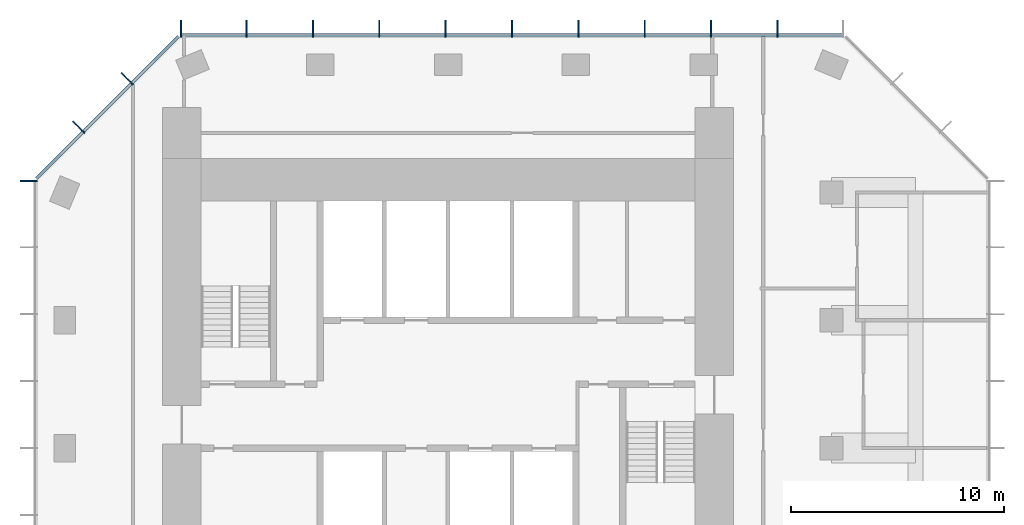
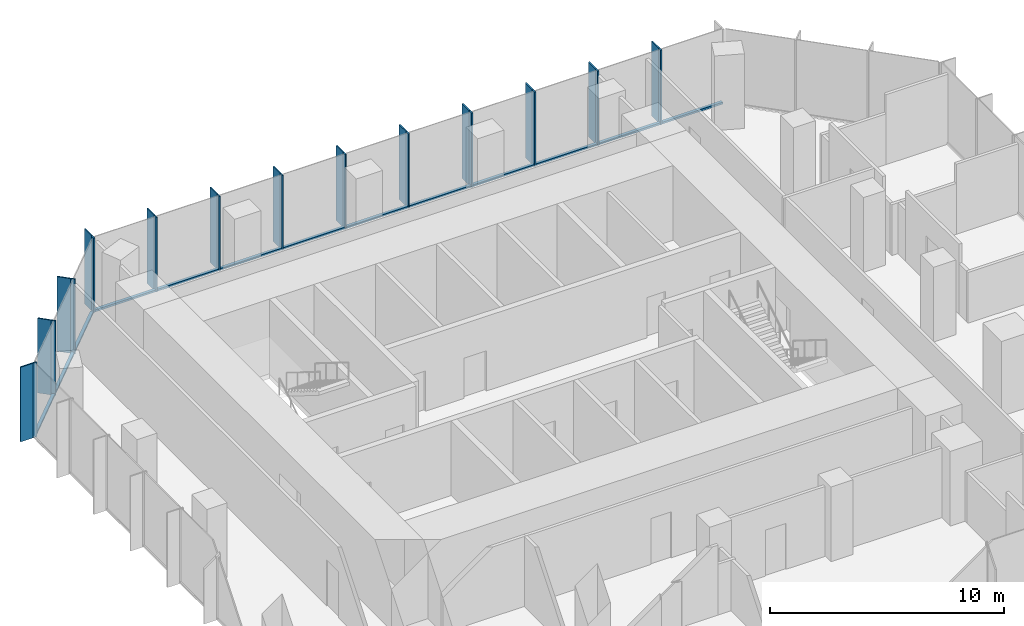
# One storey, part 5 of 11: 39 members, 3 elements without a shape of their own.
"""IFC4 building model written with IfcOpenShell, lengths in metres."""

from ifc_helpers import new_model, si_unit, direction, frame, origin, origin_2d, place, context, subcontext, project, spatial, rectangle, extrude, material, layer, layer_set, material_profile, profile_set, type_object, element, aggregate, save


model = new_model("IFC4")

# Units and contexts
model_context = context("Model", 3, precision=1e-05, world=origin(), true_north=direction((0.0, 1.0)))
body_context = subcontext(model_context, "Body", "Model", "MODEL_VIEW")
ifc_project = project(units=[si_unit("LENGTHUNIT", "METRE"), si_unit("AREAUNIT", "SQUARE_METRE"), si_unit("VOLUMEUNIT", "CUBIC_METRE"), si_unit("PLANEANGLEUNIT", "RADIAN"), si_unit("MASSUNIT", "GRAM", prefix="KILO")], contexts=[model_context])

# Site, building, storey
site_placement = place(None, origin())
site = spatial("IfcSite", under=ifc_project, at=site_placement, CompositionType="ELEMENT")
building_placement = place(site_placement, origin())
building = spatial("IfcBuilding", under=site, at=building_placement, Name="Highveld Stack Headquarters", CompositionType="ELEMENT")
storey_placement = place(building_placement, frame((0.0, 0.0, 287.89990234375)))
storey = spatial("IfcBuildingStorey", under=building, at=storey_placement, Name="L71", CompositionType="ELEMENT", Elevation=287.89990234375)

# Curtain wall, members
ifc_material_1 = material(Name="Aluminium bronze anodised", Category="aluminium")
ifc_layer = layer(ifc_material_1, 0.199951171875)
ifc_layer_set = layer_set([ifc_layer], Name="Aluminium bronze anodised")
curtain_wall_type = type_object("IfcCurtainWallType", Name="CW5 EXECUTIVE UNITISED CURTAIN WALL", PredefinedType="NOTDEFINED", material=ifc_layer_set)
curtain_wall_1_placement = place(storey_placement, origin())
curtain_wall_1 = element("IfcCurtainWall", 1, at=curtain_wall_1_placement, inside=storey, type_object=curtain_wall_type, Name="Curtain wall CW5 L71 N", PredefinedType="NOTDEFINED")
ifc_material_2 = material(Name="Aluminium bronze anodised", Category="aluminium")
ifc_material_profile_1 = material_profile(ifc_material_2, rectangle(XDim=0.60009765625, YDim=0.06005859375, at=origin_2d()), Name="FIN 600x60")
ifc_profile_set_1 = profile_set([ifc_material_profile_1], Name="Aluminium bronze anodised")
member_type_1 = type_object("IfcMemberType", Name="CW5 BRONZE FIN 600x60", PredefinedType="USERDEFINED", material=ifc_profile_set_1)
member_1_placement = place(storey_placement, frame((21.4638671875, 19.800048828125, 0.0), z_axis=(0.0, 0.0, 1.0), x_axis=(0.0, -1.0, 0.0)))
member_1 = element("IfcMember", 2, at=member_1_placement, type_object=member_type_1, Name="CW5 fin L71 2", ObjectType="FIN", PredefinedType="USERDEFINED", context=body_context, shape_type="SweptSolid", body=[
    extrude(rectangle(XDim=0.60009765625, YDim=0.06005859375, at=origin_2d()), origin(), (0.0, 0.0, 1.0), 3.900146484375),
])
member_2_placement = place(storey_placement, frame((18.347900390625, 19.800048828125, 0.0), z_axis=(0.0, 0.0, 1.0), x_axis=(0.0, -1.0, 0.0)))
member_2 = element("IfcMember", 3, at=member_2_placement, type_object=member_type_1, Name="CW5 fin L71 3", ObjectType="FIN", PredefinedType="USERDEFINED", context=body_context, shape_type="SweptSolid", body=[
    extrude(rectangle(XDim=0.60009765625, YDim=0.06005859375, at=origin_2d()), origin(), (0.0, 0.0, 1.0), 3.900146484375),
])
member_3_placement = place(storey_placement, frame((15.23193359375, 19.800048828125, 0.0), z_axis=(0.0, 0.0, 1.0), x_axis=(0.0, -1.0, 0.0)))
member_3 = element("IfcMember", 4, at=member_3_placement, type_object=member_type_1, Name="CW5 fin L71 4", ObjectType="FIN", PredefinedType="USERDEFINED", context=body_context, shape_type="SweptSolid", body=[
    extrude(rectangle(XDim=0.60009765625, YDim=0.06005859375, at=origin_2d()), origin(), (0.0, 0.0, 1.0), 3.900146484375),
])
member_4_placement = place(storey_placement, frame((12.115966796875, 19.800048828125, 0.0), z_axis=(0.0, 0.0, 1.0), x_axis=(0.0, -1.0, 0.0)))
member_4 = element("IfcMember", 5, at=member_4_placement, type_object=member_type_1, Name="CW5 fin L71 5", ObjectType="FIN", PredefinedType="USERDEFINED", context=body_context, shape_type="SweptSolid", body=[
    extrude(rectangle(XDim=0.60009765625, YDim=0.06005859375, at=origin_2d()), origin(), (0.0, 0.0, 1.0), 3.900146484375),
])
member_5_placement = place(storey_placement, frame((9.0, 19.800048828125, 0.0), z_axis=(0.0, 0.0, 1.0), x_axis=(0.0, -1.0, 0.0)))
member_5 = element("IfcMember", 6, at=member_5_placement, type_object=member_type_1, Name="CW5 fin L71 6", ObjectType="FIN", PredefinedType="USERDEFINED", context=body_context, shape_type="SweptSolid", body=[
    extrude(rectangle(XDim=0.60009765625, YDim=0.06005859375, at=origin_2d()), origin(), (0.0, 0.0, 1.0), 3.900146484375),
])
member_6_placement = place(storey_placement, frame((5.884033203125, 19.800048828125, 0.0), z_axis=(0.0, 0.0, 1.0), x_axis=(0.0, -1.0, 0.0)))
member_6 = element("IfcMember", 7, at=member_6_placement, type_object=member_type_1, Name="CW5 fin L71 7", ObjectType="FIN", PredefinedType="USERDEFINED", context=body_context, shape_type="SweptSolid", body=[
    extrude(rectangle(XDim=0.60009765625, YDim=0.06005859375, at=origin_2d()), origin(), (0.0, 0.0, 1.0), 3.900146484375),
])
member_7_placement = place(storey_placement, frame((2.76806640625, 19.800048828125, 0.0), z_axis=(0.0, 0.0, 1.0), x_axis=(0.0, -1.0, 0.0)))
member_7 = element("IfcMember", 8, at=member_7_placement, type_object=member_type_1, Name="CW5 fin L71 8", ObjectType="FIN", PredefinedType="USERDEFINED", context=body_context, shape_type="SweptSolid", body=[
    extrude(rectangle(XDim=0.60009765625, YDim=0.06005859375, at=origin_2d()), origin(), (0.0, 0.0, 1.0), 3.900146484375),
])
member_8_placement = place(storey_placement, frame((-0.347900390625, 19.800048828125, 0.0), z_axis=(0.0, 0.0, 1.0), x_axis=(0.0, -1.0, 0.0)))
member_8 = element("IfcMember", 9, at=member_8_placement, type_object=member_type_1, Name="CW5 fin L71 9", ObjectType="FIN", PredefinedType="USERDEFINED", context=body_context, shape_type="SweptSolid", body=[
    extrude(rectangle(XDim=0.60009765625, YDim=0.06005859375, at=origin_2d()), origin(), (0.0, 0.0, 1.0), 3.900146484375),
])
member_9_placement = place(storey_placement, frame((-3.4638671875, 19.800048828125, 0.0), z_axis=(0.0, 0.0, 1.0), x_axis=(0.0, -1.0, 0.0)))
member_9 = element("IfcMember", 10, at=member_9_placement, type_object=member_type_1, Name="CW5 fin L71 10", ObjectType="FIN", PredefinedType="USERDEFINED", context=body_context, shape_type="SweptSolid", body=[
    extrude(rectangle(XDim=0.60009765625, YDim=0.06005859375, at=origin_2d()), origin(), (0.0, 0.0, 1.0), 3.900146484375),
])
member_10_placement = place(storey_placement, frame((-6.54736328125, 19.800048828125, 0.0), z_axis=(0.0, 0.0, 1.0), x_axis=(0.0, -1.0, 0.0)))
member_10 = element("IfcMember", 11, at=member_10_placement, type_object=member_type_1, Name="CW5 fin L71 11", ObjectType="FIN", PredefinedType="USERDEFINED", context=body_context, shape_type="SweptSolid", body=[
    extrude(rectangle(XDim=0.60009765625, YDim=0.06005859375, at=origin_2d()), origin(), (0.0, 0.0, 1.0), 3.900146484375),
])

curtain_wall_2_placement = place(storey_placement, origin())
curtain_wall_2 = element("IfcCurtainWall", 12, at=curtain_wall_2_placement, inside=storey, type_object=curtain_wall_type, Name="Curtain wall CW5 L71 NW", PredefinedType="NOTDEFINED")
member_11_placement = place(storey_placement, frame((-9.135986328125, 17.409423828125, 0.0), z_axis=(0.0, 0.0, 1.0), x_axis=(0.707106781187, -0.707106781187, 0.0)))
member_11 = element("IfcMember", 13, at=member_11_placement, type_object=member_type_1, Name="CW5 fin L71 1", ObjectType="FIN", PredefinedType="USERDEFINED", context=body_context, shape_type="SweptSolid", body=[
    extrude(rectangle(XDim=0.60009765625, YDim=0.06005859375, at=origin_2d()), origin(), (0.0, 0.0, 1.0), 3.900146484375),
])
member_12_placement = place(storey_placement, frame((-11.409423828125, 15.135986328125, 0.0), z_axis=(0.0, 0.0, 1.0), x_axis=(0.707106781187, -0.707106781187, 0.0)))
member_12 = element("IfcMember", 14, at=member_12_placement, type_object=member_type_1, Name="CW5 fin L71 2", ObjectType="FIN", PredefinedType="USERDEFINED", context=body_context, shape_type="SweptSolid", body=[
    extrude(rectangle(XDim=0.60009765625, YDim=0.06005859375, at=origin_2d()), origin(), (0.0, 0.0, 1.0), 3.900146484375),
])

# Curtain wall, member
curtain_wall_3_placement = place(storey_placement, origin())
curtain_wall_3 = element("IfcCurtainWall", 15, at=curtain_wall_3_placement, inside=storey, type_object=curtain_wall_type, Name="Curtain wall CW5 L71 W", PredefinedType="NOTDEFINED")
member_13_placement = place(storey_placement, frame((-13.800048828125, 12.54736328125, 0.0), z_axis=(0.0, 0.0, 1.0), x_axis=(1.0, 0.0, 0.0)))
member_13 = element("IfcMember", 16, at=member_13_placement, type_object=member_type_1, Name="CW5 fin L71 1", ObjectType="FIN", PredefinedType="USERDEFINED", context=body_context, shape_type="SweptSolid", body=[
    extrude(rectangle(XDim=0.60009765625, YDim=0.06005859375, at=origin_2d()), origin(), (0.0, 0.0, 1.0), 3.900146484375),
])

# Member
ifc_material_3 = material(Name="Aluminium bronze anodised", Category="aluminium")
ifc_material_profile_2 = material_profile(ifc_material_3, rectangle(XDim=0.199951171875, YDim=0.06494140625, at=origin_2d()), Name="CW5 MULLION 65x200")
ifc_profile_set_2 = profile_set([ifc_material_profile_2], Name="Aluminium bronze anodised")
member_type_2 = type_object("IfcMemberType", Name="CW5 MULLION 65x200", PredefinedType="MULLION", material=ifc_profile_set_2)
member_14_placement = place(storey_placement, frame((21.4638671875, 19.39990234375, 0.0), z_axis=(0.0, 0.0, 1.0), x_axis=(0.0, -1.0, 0.0)))
member_14 = element("IfcMember", 17, at=member_14_placement, type_object=member_type_2, Name="CW5 mullion L71 2", PredefinedType="MULLION", context=body_context, shape_type="SweptSolid", body=[
    extrude(rectangle(XDim=0.199951171875, YDim=0.06494140625, at=origin_2d()), origin(), (0.0, 0.0, 1.0), 3.900146484375),
])

member_15_placement = place(storey_placement, frame((18.347900390625, 19.39990234375, 0.0), z_axis=(0.0, 0.0, 1.0), x_axis=(0.0, -1.0, 0.0)))
member_15 = element("IfcMember", 18, at=member_15_placement, type_object=member_type_2, Name="CW5 mullion L71 3", PredefinedType="MULLION", context=body_context, shape_type="SweptSolid", body=[
    extrude(rectangle(XDim=0.199951171875, YDim=0.06494140625, at=origin_2d()), origin(), (0.0, 0.0, 1.0), 3.900146484375),
])

member_16_placement = place(storey_placement, frame((15.23193359375, 19.39990234375, 0.0), z_axis=(0.0, 0.0, 1.0), x_axis=(0.0, -1.0, 0.0)))
member_16 = element("IfcMember", 19, at=member_16_placement, type_object=member_type_2, Name="CW5 mullion L71 4", PredefinedType="MULLION", context=body_context, shape_type="SweptSolid", body=[
    extrude(rectangle(XDim=0.199951171875, YDim=0.06494140625, at=origin_2d()), origin(), (0.0, 0.0, 1.0), 3.900146484375),
])

member_17_placement = place(storey_placement, frame((12.115966796875, 19.39990234375, 0.0), z_axis=(0.0, 0.0, 1.0), x_axis=(0.0, -1.0, 0.0)))
member_17 = element("IfcMember", 20, at=member_17_placement, type_object=member_type_2, Name="CW5 mullion L71 5", PredefinedType="MULLION", context=body_context, shape_type="SweptSolid", body=[
    extrude(rectangle(XDim=0.199951171875, YDim=0.06494140625, at=origin_2d()), origin(), (0.0, 0.0, 1.0), 3.900146484375),
])

member_18_placement = place(storey_placement, frame((9.0, 19.39990234375, 0.0), z_axis=(0.0, 0.0, 1.0), x_axis=(0.0, -1.0, 0.0)))
member_18 = element("IfcMember", 21, at=member_18_placement, type_object=member_type_2, Name="CW5 mullion L71 6", PredefinedType="MULLION", context=body_context, shape_type="SweptSolid", body=[
    extrude(rectangle(XDim=0.199951171875, YDim=0.06494140625, at=origin_2d()), origin(), (0.0, 0.0, 1.0), 3.900146484375),
])

member_19_placement = place(storey_placement, frame((5.884033203125, 19.39990234375, 0.0), z_axis=(0.0, 0.0, 1.0), x_axis=(0.0, -1.0, 0.0)))
member_19 = element("IfcMember", 22, at=member_19_placement, type_object=member_type_2, Name="CW5 mullion L71 7", PredefinedType="MULLION", context=body_context, shape_type="SweptSolid", body=[
    extrude(rectangle(XDim=0.199951171875, YDim=0.06494140625, at=origin_2d()), origin(), (0.0, 0.0, 1.0), 3.900146484375),
])

member_20_placement = place(storey_placement, frame((2.76806640625, 19.39990234375, 0.0), z_axis=(0.0, 0.0, 1.0), x_axis=(0.0, -1.0, 0.0)))
member_20 = element("IfcMember", 23, at=member_20_placement, type_object=member_type_2, Name="CW5 mullion L71 8", PredefinedType="MULLION", context=body_context, shape_type="SweptSolid", body=[
    extrude(rectangle(XDim=0.199951171875, YDim=0.06494140625, at=origin_2d()), origin(), (0.0, 0.0, 1.0), 3.900146484375),
])

member_21_placement = place(storey_placement, frame((-0.347900390625, 19.39990234375, 0.0), z_axis=(0.0, 0.0, 1.0), x_axis=(0.0, -1.0, 0.0)))
member_21 = element("IfcMember", 24, at=member_21_placement, type_object=member_type_2, Name="CW5 mullion L71 9", PredefinedType="MULLION", context=body_context, shape_type="SweptSolid", body=[
    extrude(rectangle(XDim=0.199951171875, YDim=0.06494140625, at=origin_2d()), origin(), (0.0, 0.0, 1.0), 3.900146484375),
])

member_22_placement = place(storey_placement, frame((-3.4638671875, 19.39990234375, 0.0), z_axis=(0.0, 0.0, 1.0), x_axis=(0.0, -1.0, 0.0)))
member_22 = element("IfcMember", 25, at=member_22_placement, type_object=member_type_2, Name="CW5 mullion L71 10", PredefinedType="MULLION", context=body_context, shape_type="SweptSolid", body=[
    extrude(rectangle(XDim=0.199951171875, YDim=0.06494140625, at=origin_2d()), origin(), (0.0, 0.0, 1.0), 3.900146484375),
])

member_23_placement = place(storey_placement, frame((-6.54736328125, 19.39990234375, 0.0), z_axis=(0.0, 0.0, 1.0), x_axis=(0.0, -1.0, 0.0)))
member_23 = element("IfcMember", 26, at=member_23_placement, type_object=member_type_2, Name="CW5 mullion L71 11", PredefinedType="MULLION", context=body_context, shape_type="SweptSolid", body=[
    extrude(rectangle(XDim=0.199951171875, YDim=0.06494140625, at=origin_2d()), origin(), (0.0, 0.0, 1.0), 3.900146484375),
])

member_24_placement = place(storey_placement, frame((-8.853271484375, 17.126708984375, 0.0), z_axis=(0.0, 0.0, 1.0), x_axis=(0.707106781187, -0.707106781187, 0.0)))
member_24 = element("IfcMember", 27, at=member_24_placement, type_object=member_type_2, Name="CW5 mullion L71 1", PredefinedType="MULLION", context=body_context, shape_type="SweptSolid", body=[
    extrude(rectangle(XDim=0.199951171875, YDim=0.06494140625, at=origin_2d()), origin(), (0.0, 0.0, 1.0), 3.900146484375),
])

member_25_placement = place(storey_placement, frame((-11.126708984375, 14.853271484375, 0.0), z_axis=(0.0, 0.0, 1.0), x_axis=(0.707106781187, -0.707106781187, 0.0)))
member_25 = element("IfcMember", 28, at=member_25_placement, type_object=member_type_2, Name="CW5 mullion L71 2", PredefinedType="MULLION", context=body_context, shape_type="SweptSolid", body=[
    extrude(rectangle(XDim=0.199951171875, YDim=0.06494140625, at=origin_2d()), origin(), (0.0, 0.0, 1.0), 3.900146484375),
])

member_26_placement = place(storey_placement, frame((-13.39990234375, 12.54736328125, 0.0), z_axis=(0.0, 0.0, 1.0), x_axis=(1.0, 0.0, 0.0)))
member_26 = element("IfcMember", 29, at=member_26_placement, type_object=member_type_2, Name="CW5 mullion L71 1", PredefinedType="MULLION", context=body_context, shape_type="SweptSolid", body=[
    extrude(rectangle(XDim=0.199951171875, YDim=0.06494140625, at=origin_2d()), origin(), (0.0, 0.0, 1.0), 3.900146484375),
])

aggregate(curtain_wall_3, [member_26, member_13])

ifc_material_4 = material(Name="Aluminium bronze anodised", Category="aluminium")
ifc_material_profile_3 = material_profile(ifc_material_4, rectangle(XDim=0.14990234375, YDim=0.10009765625, at=origin_2d()), Name="CW5 TRANSOM 150x100")
ifc_profile_set_3 = profile_set([ifc_material_profile_3], Name="Aluminium bronze anodised")
member_type_3 = type_object("IfcMemberType", Name="CW5 STACK TRANSOM 150x100", PredefinedType="USERDEFINED", material=ifc_profile_set_3)
member_27_placement = place(storey_placement, frame((24.514892578125, 19.39990234375, 0.050048828125), z_axis=(-1.0, 0.0, 0.0), x_axis=(0.0, -1.0, 0.0)))
member_27 = element("IfcMember", 30, at=member_27_placement, type_object=member_type_3, Name="CW5 transom L71 1.1", ObjectType="TRANSOM", PredefinedType="USERDEFINED", context=body_context, shape_type="SweptSolid", body=[
    extrude(rectangle(XDim=0.14990234375, YDim=0.10009765625, at=origin_2d()), origin(), (0.0, 0.0, 1.0), 3.0185546875),
])

member_28_placement = place(storey_placement, frame((21.431396484375, 19.39990234375, 0.050048828125), z_axis=(-1.0, 0.0, 0.0), x_axis=(0.0, -1.0, 0.0)))
member_28 = element("IfcMember", 31, at=member_28_placement, type_object=member_type_3, Name="CW5 transom L71 2.1", ObjectType="TRANSOM", PredefinedType="USERDEFINED", context=body_context, shape_type="SweptSolid", body=[
    extrude(rectangle(XDim=0.14990234375, YDim=0.10009765625, at=origin_2d()), origin(), (0.0, 0.0, 1.0), 3.051025390625),
])

member_29_placement = place(storey_placement, frame((18.3154296875, 19.39990234375, 0.050048828125), z_axis=(-1.0, 0.0, 0.0), x_axis=(0.0, -1.0, 0.0)))
member_29 = element("IfcMember", 32, at=member_29_placement, type_object=member_type_3, Name="CW5 transom L71 3.1", ObjectType="TRANSOM", PredefinedType="USERDEFINED", context=body_context, shape_type="SweptSolid", body=[
    extrude(rectangle(XDim=0.14990234375, YDim=0.10009765625, at=origin_2d()), origin(), (0.0, 0.0, 1.0), 3.051025390625),
])

member_30_placement = place(storey_placement, frame((15.199462890625, 19.39990234375, 0.050048828125), z_axis=(-1.0, 0.0, 0.0), x_axis=(0.0, -1.0, 0.0)))
member_30 = element("IfcMember", 33, at=member_30_placement, type_object=member_type_3, Name="CW5 transom L71 4.1", ObjectType="TRANSOM", PredefinedType="USERDEFINED", context=body_context, shape_type="SweptSolid", body=[
    extrude(rectangle(XDim=0.14990234375, YDim=0.10009765625, at=origin_2d()), origin(), (0.0, 0.0, 1.0), 3.051025390625),
])

member_31_placement = place(storey_placement, frame((12.08349609375, 19.39990234375, 0.050048828125), z_axis=(-1.0, 0.0, 0.0), x_axis=(0.0, -1.0, 0.0)))
member_31 = element("IfcMember", 34, at=member_31_placement, type_object=member_type_3, Name="CW5 transom L71 5.1", ObjectType="TRANSOM", PredefinedType="USERDEFINED", context=body_context, shape_type="SweptSolid", body=[
    extrude(rectangle(XDim=0.14990234375, YDim=0.10009765625, at=origin_2d()), origin(), (0.0, 0.0, 1.0), 3.051025390625),
])

member_32_placement = place(storey_placement, frame((8.967529296875, 19.39990234375, 0.050048828125), z_axis=(-1.0, 0.0, 0.0), x_axis=(0.0, -1.0, 0.0)))
member_32 = element("IfcMember", 35, at=member_32_placement, type_object=member_type_3, Name="CW5 transom L71 6.1", ObjectType="TRANSOM", PredefinedType="USERDEFINED", context=body_context, shape_type="SweptSolid", body=[
    extrude(rectangle(XDim=0.14990234375, YDim=0.10009765625, at=origin_2d()), origin(), (0.0, 0.0, 1.0), 3.051025390625),
])

member_33_placement = place(storey_placement, frame((5.8515625, 19.39990234375, 0.050048828125), z_axis=(-1.0, 0.0, 0.0), x_axis=(0.0, -1.0, 0.0)))
member_33 = element("IfcMember", 36, at=member_33_placement, type_object=member_type_3, Name="CW5 transom L71 7.1", ObjectType="TRANSOM", PredefinedType="USERDEFINED", context=body_context, shape_type="SweptSolid", body=[
    extrude(rectangle(XDim=0.14990234375, YDim=0.10009765625, at=origin_2d()), origin(), (0.0, 0.0, 1.0), 3.051025390625),
])

member_34_placement = place(storey_placement, frame((2.735595703125, 19.39990234375, 0.050048828125), z_axis=(-1.0, 0.0, 0.0), x_axis=(0.0, -1.0, 0.0)))
member_34 = element("IfcMember", 37, at=member_34_placement, type_object=member_type_3, Name="CW5 transom L71 8.1", ObjectType="TRANSOM", PredefinedType="USERDEFINED", context=body_context, shape_type="SweptSolid", body=[
    extrude(rectangle(XDim=0.14990234375, YDim=0.10009765625, at=origin_2d()), origin(), (0.0, 0.0, 1.0), 3.051025390625),
])

member_35_placement = place(storey_placement, frame((-0.38037109375, 19.39990234375, 0.050048828125), z_axis=(-1.0, 0.0, 0.0), x_axis=(0.0, -1.0, 0.0)))
member_35 = element("IfcMember", 38, at=member_35_placement, type_object=member_type_3, Name="CW5 transom L71 9.1", ObjectType="TRANSOM", PredefinedType="USERDEFINED", context=body_context, shape_type="SweptSolid", body=[
    extrude(rectangle(XDim=0.14990234375, YDim=0.10009765625, at=origin_2d()), origin(), (0.0, 0.0, 1.0), 3.051025390625),
])

member_36_placement = place(storey_placement, frame((-3.496337890625, 19.39990234375, 0.050048828125), z_axis=(-1.0, 0.0, 0.0), x_axis=(0.0, -1.0, 0.0)))
member_36 = element("IfcMember", 39, at=member_36_placement, type_object=member_type_3, Name="CW5 transom L71 10.1", ObjectType="TRANSOM", PredefinedType="USERDEFINED", context=body_context, shape_type="SweptSolid", body=[
    extrude(rectangle(XDim=0.14990234375, YDim=0.10009765625, at=origin_2d()), origin(), (0.0, 0.0, 1.0), 3.0185546875),
])

aggregate(curtain_wall_1, [member_14, member_1, member_15, member_2, member_16, member_3, member_17, member_4, member_18, member_5, member_19, member_6, member_20, member_7, member_21, member_8, member_22, member_9, member_23, member_10, member_27, member_28, member_29, member_30, member_31, member_32, member_33, member_34, member_35, member_36])

member_37_placement = place(storey_placement, frame((-6.650634765625, 19.329345703125, 0.050048828125), z_axis=(-0.707106781187, -0.707106781187, 0.0), x_axis=(0.707106781187, -0.707106781187, 0.0)))
member_37 = element("IfcMember", 40, at=member_37_placement, type_object=member_type_3, Name="CW5 transom L71 1.1", ObjectType="TRANSOM", PredefinedType="USERDEFINED", context=body_context, shape_type="SweptSolid", body=[
    extrude(rectangle(XDim=0.14990234375, YDim=0.10009765625, at=origin_2d()), origin(), (0.0, 0.0, 1.0), 3.08251953125),
])

member_38_placement = place(storey_placement, frame((-8.876220703125, 17.103759765625, 0.050048828125), z_axis=(-0.707106781187, -0.707106781187, 0.0), x_axis=(0.707106781187, -0.707106781187, 0.0)))
member_38 = element("IfcMember", 41, at=member_38_placement, type_object=member_type_3, Name="CW5 transom L71 2.1", ObjectType="TRANSOM", PredefinedType="USERDEFINED", context=body_context, shape_type="SweptSolid", body=[
    extrude(rectangle(XDim=0.14990234375, YDim=0.10009765625, at=origin_2d()), origin(), (0.0, 0.0, 1.0), 3.150146484375),
])

member_39_placement = place(storey_placement, frame((-11.149658203125, 14.830322265625, 0.050048828125), z_axis=(-0.707106781187, -0.707106781187, 0.0), x_axis=(0.707106781187, -0.707106781187, 0.0)))
member_39 = element("IfcMember", 42, at=member_39_placement, type_object=member_type_3, Name="CW5 transom L71 3.1", ObjectType="TRANSOM", PredefinedType="USERDEFINED", context=body_context, shape_type="SweptSolid", body=[
    extrude(rectangle(XDim=0.14990234375, YDim=0.10009765625, at=origin_2d()), origin(), (0.0, 0.0, 1.0), 3.08251953125),
])

aggregate(curtain_wall_2, [member_24, member_11, member_25, member_12, member_37, member_38, member_39])

save(model, "model.ifc")
